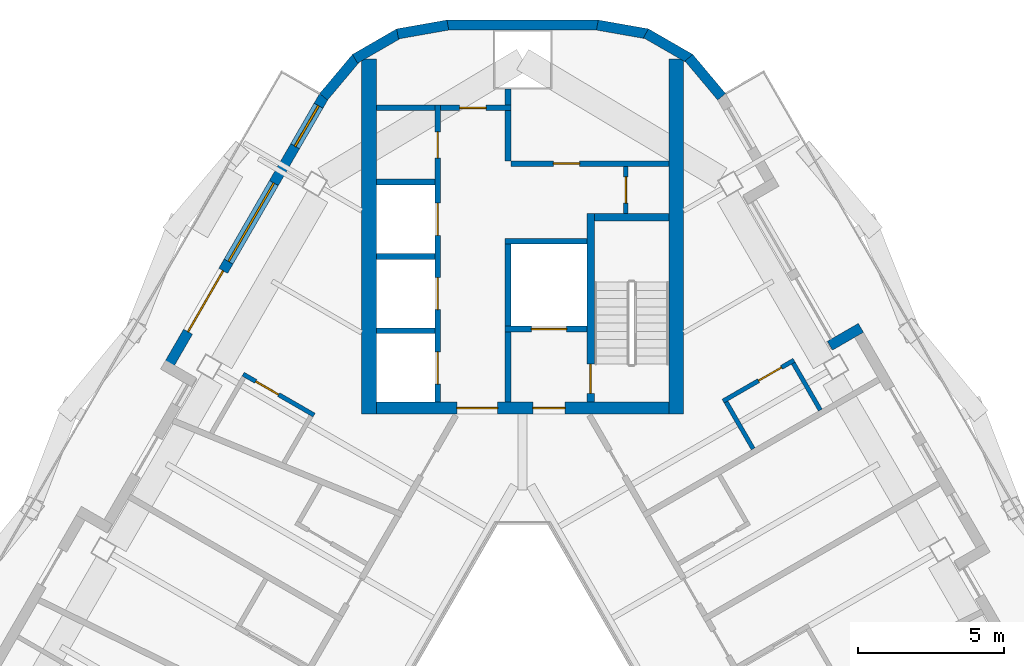
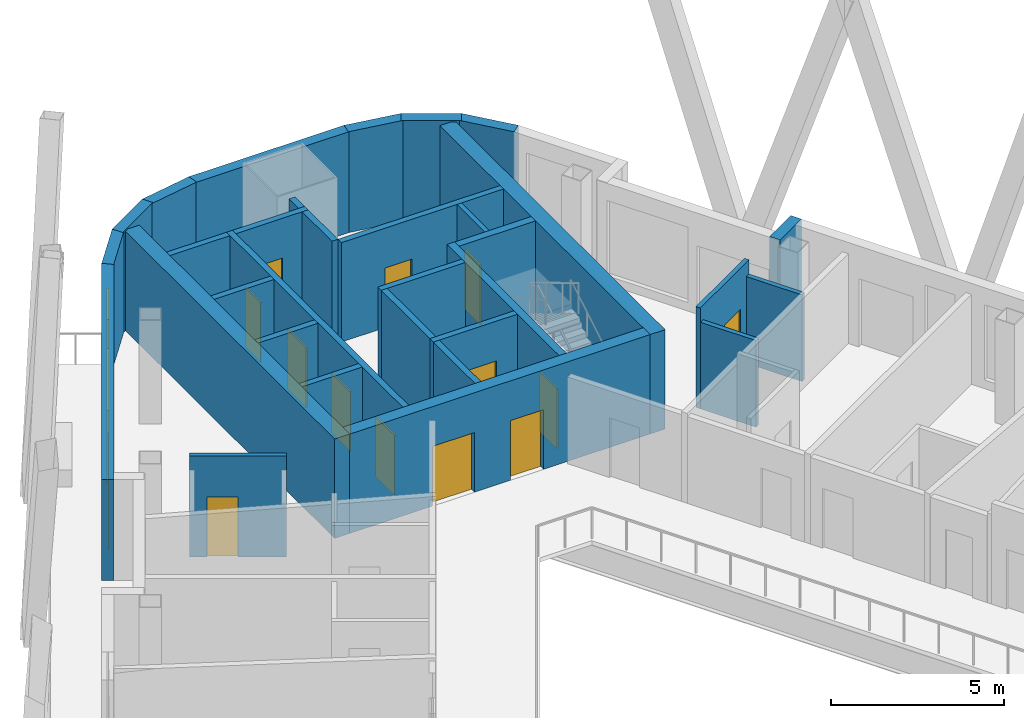
# One storey, part 7 of 13: 32 walls, 14 doors, 2 windows, 16 openings.
"""IFC4 building model written with IfcOpenShell, lengths in metres."""

from ifc_helpers import new_model, si_unit, direction, frame, frame_2d, origin, place, context, subcontext, project, spatial, rectangle, extrude, material, layer, layer_set, type_object, element, fill, save


model = new_model("IFC4")

# Units and contexts
model_context = context("Model", 3, precision=1e-05, world=origin(), true_north=direction((0.0, 1.0)))
body_context = subcontext(model_context, "Body", "Model", "MODEL_VIEW")
ifc_project = project(units=[si_unit("LENGTHUNIT", "METRE"), si_unit("AREAUNIT", "SQUARE_METRE"), si_unit("VOLUMEUNIT", "CUBIC_METRE"), si_unit("PLANEANGLEUNIT", "RADIAN"), si_unit("MASSUNIT", "GRAM", prefix="KILO")], contexts=[model_context])

# Site, building, storey
site_placement = place(None, origin())
site = spatial("IfcSite", under=ifc_project, at=site_placement, CompositionType="ELEMENT")
building_placement = place(site_placement, origin())
building = spatial("IfcBuilding", under=site, at=building_placement, Name="Apuvela Tower Hotel", CompositionType="ELEMENT")
storey_placement = place(building_placement, frame((0.0, 0.0, 280.0)))
storey = spatial("IfcBuildingStorey", under=building, at=storey_placement, Name="L69", CompositionType="ELEMENT", Elevation=280.0)

# Wall, openings, doors
ifc_material_1 = material(Name="Concrete C50/60", Category="concrete")
ifc_layer_1 = layer(ifc_material_1, 0.39990234375)
ifc_layer_set_1 = layer_set([ifc_layer_1], Name="COR-WALL-CORE-400")
wall_type_1 = type_object("IfcWallType", Name="COR-WALL-CORE-400", PredefinedType="SHEAR", material=ifc_layer_set_1)
wall_1_placement = place(storey_placement, frame((5.0, 13.10009765625, 0.0), z_axis=(0.0, 0.0, 1.0), x_axis=(-1.0, 0.0, 0.0)))
wall_1 = element("IfcWall", 1, at=wall_1_placement, inside=storey, type_object=wall_type_1, Name="Core wall N", PredefinedType="SHEAR", context=body_context, shape_type="SweptSolid", body=[
    extrude(rectangle(XDim=10.0, YDim=0.39990234375, at=frame_2d((5.0, 0.0))), origin(), (0.0, 0.0, 1.0), 3.5),
])
opening_1_placement = place(wall_1_placement, frame((3.550048828125, 0.0, 0.0)))
opening_1 = element("IfcOpeningElement", 2, at=opening_1_placement, cuts=wall_1, Name="Opening N-FD", PredefinedType="OPENING", context=body_context, shape_type="SweptSolid", body=[
    extrude(rectangle(XDim=1.10009765625, YDim=2.10009765625, at=frame_2d((0.550048828125, 1.050048828125))), frame((0.0, 0.2099609375, 0.0), z_axis=(0.0, -1.0, 0.0), x_axis=(1.0, 0.0, 0.0)), (0.0, 0.0, 1.0), 0.419921875),
])
opening_2_placement = place(wall_1_placement, frame((5.85009765625, 0.0, 0.0)))
opening_2 = element("IfcOpeningElement", 3, at=opening_2_placement, cuts=wall_1, Name="Opening N-GD", PredefinedType="OPENING", context=body_context, shape_type="SweptSolid", body=[
    extrude(rectangle(XDim=1.39990234375, YDim=2.10009765625, at=frame_2d((0.699951171875, 1.050048828125))), frame((0.0, 0.2099609375, 0.0), z_axis=(0.0, -1.0, 0.0), x_axis=(1.0, 0.0, 0.0)), (0.0, 0.0, 1.0), 0.419921875),
])
ifc_material_2 = material(Name="Steel fire door, powder coated", Category="steel")
door_type_1 = type_object("IfcDoorType", Name="COR-FD-1100", OperationType="NOTDEFINED", PredefinedType="DOOR", material=ifc_material_2)
door_1_placement = place(opening_1_placement, frame((1.10009765625, 0.0, 0.0), z_axis=(0.0, 0.0, 1.0), x_axis=(-1.0, 0.0, 0.0)))
door_1 = element("IfcDoor", 4, at=door_1_placement, inside=storey, type_object=door_type_1, Name="Firefighting lobby door N-FD", OperationType="SINGLE_SWING_LEFT", OverallHeight=2.10009765625, OverallWidth=1.10009765625, PredefinedType="DOOR", context=body_context, shape_type="SweptSolid", body=[
    extrude(rectangle(XDim=1.10009765625, YDim=2.10009765625, at=frame_2d((0.550048828125, 1.050048828125))), frame((0.0, 0.02490234375, 0.0), z_axis=(0.0, -1.0, 0.0), x_axis=(1.0, 0.0, 0.0)), (0.0, 0.0, 1.0), 0.050048828125),
])
fill(opening_1, door_1)
ifc_material_3 = material(Name="Glazed steel fire door", Category="steel")
door_type_2 = type_object("IfcDoorType", Name="COR-GD-1400", OperationType="DOUBLE_DOOR_SINGLE_SWING", PredefinedType="DOOR", material=ifc_material_3)
door_2_placement = place(opening_2_placement, frame((1.39990234375, 0.0, 0.0), z_axis=(0.0, 0.0, 1.0), x_axis=(-1.0, 0.0, 0.0)))
door_2 = element("IfcDoor", 5, at=door_2_placement, inside=storey, type_object=door_type_2, Name="Lift lobby door N-GD", OperationType="DOUBLE_DOOR_SINGLE_SWING", OverallHeight=2.10009765625, OverallWidth=1.39990234375, PredefinedType="DOOR", context=body_context, shape_type="SweptSolid", body=[
    extrude(rectangle(XDim=1.39990234375, YDim=2.10009765625, at=frame_2d((0.699951171875, 1.050048828125))), frame((0.0, 0.02490234375, 0.0), z_axis=(0.0, -1.0, 0.0), x_axis=(1.0, 0.0, 0.0)), (0.0, 0.0, 1.0), 0.050048828125),
])
fill(opening_2, door_2)

# Walls
ifc_layer_2 = layer(ifc_material_1, 0.5)
ifc_layer_set_2 = layer_set([ifc_layer_2], Name="COR-WALL-CORE-500")
wall_type_2 = type_object("IfcWallType", Name="COR-WALL-CORE-500", PredefinedType="SHEAR", material=ifc_layer_set_2)
for number, where, z_axis, x_axis, name in (
    (6, (5.25, 12.89990234375, 0.0), (0.0, 0.0, 1.0), (0.0, 1.0, 0.0), "Core wall N"),
    (7, (-5.25, 12.89990234375, 0.0), (0.0, 0.0, 1.0), (0.0, 1.0, 0.0), "Core wall N"),
):
    element("IfcWall", number, at=place(storey_placement, frame(where, z_axis=z_axis, x_axis=x_axis)), inside=storey, type_object=wall_type_2, Name=name, PredefinedType="SHEAR", context=body_context, shape_type="SweptSolid", body=[
        extrude(rectangle(XDim=12.12890625, YDim=0.5, at=frame_2d((6.064453125, 0.0))), origin(), (0.0, 0.0, 1.0), 3.5),
    ])

# Wall, opening, door
ifc_material_4 = material(Name="Blockwork 150 mm plastered", Category="masonry")
ifc_layer_3 = layer(ifc_material_4, 0.14990234375)
ifc_layer_set_3 = layer_set([ifc_layer_3], Name="COR-WALL-PART-150")
wall_type_3 = type_object("IfcWallType", Name="COR-WALL-PART-150", PredefinedType="PARTITIONING", material=ifc_layer_set_3)
wall_2_placement = place(storey_placement, frame((3.52490234375, 19.75, 0.0), z_axis=(0.0, 0.0, 1.0), x_axis=(0.0, 1.0, 0.0)))
wall_2 = element("IfcWall", 8, at=wall_2_placement, inside=storey, type_object=wall_type_3, Name="Partition N", PredefinedType="PARTITIONING", context=body_context, shape_type="SweptSolid", body=[
    extrude(rectangle(XDim=1.60009765625, YDim=0.14990234375, at=frame_2d((0.800048828125, 0.0))), origin(), (0.0, 0.0, 1.0), 3.5),
])
opening_3_placement = place(wall_2_placement, frame((0.35009765625, 0.0, 0.0)))
opening_3 = element("IfcOpeningElement", 9, at=opening_3_placement, cuts=wall_2, Name="Opening N-RD", PredefinedType="OPENING", context=body_context, shape_type="SweptSolid", body=[
    extrude(rectangle(XDim=0.89990234375, YDim=2.10009765625, at=frame_2d((0.449951171875, 1.050048828125))), frame((0.0, 0.0849609375, 0.0), z_axis=(0.0, -1.0, 0.0), x_axis=(1.0, 0.0, 0.0)), (0.0, 0.0, 1.0), 0.169921875),
])
ifc_material_5 = material(Name="Steel access door, powder coated", Category="steel")
door_type_3 = type_object("IfcDoorType", Name="COR-RD-900", OperationType="NOTDEFINED", PredefinedType="DOOR", material=ifc_material_5)
door_3_placement = place(opening_3_placement, frame((0.89990234375, 0.0, 0.0), z_axis=(0.0, 0.0, 1.0), x_axis=(-1.0, 0.0, 0.0)))
door_3 = element("IfcDoor", 10, at=door_3_placement, inside=storey, type_object=door_type_3, Name="Riser door N-RD", OperationType="SINGLE_SWING_RIGHT", OverallHeight=2.10009765625, OverallWidth=0.89990234375, PredefinedType="DOOR", context=body_context, shape_type="SweptSolid", body=[
    extrude(rectangle(XDim=0.89990234375, YDim=2.10009765625, at=frame_2d((0.449951171875, 1.050048828125))), frame((0.0, 0.02490234375, 0.0), z_axis=(0.0, -1.0, 0.0), x_axis=(1.0, 0.0, 0.0)), (0.0, 0.0, 1.0), 0.050048828125),
])
fill(opening_3, door_3)

ifc_material_6 = material(Name="Blockwork 200 mm plastered", Category="masonry")
ifc_layer_4 = layer(ifc_material_6, 0.199951171875)
ifc_layer_set_4 = layer_set([ifc_layer_4], Name="COR-WALL-PART-200")
wall_type_4 = type_object("IfcWallType", Name="COR-WALL-PART-200", PredefinedType="PARTITIONING", material=ifc_layer_set_4)
wall_3_placement = place(storey_placement, frame((5.0, 21.449951171875, 0.0), z_axis=(0.0, 0.0, 1.0), x_axis=(-1.0, 0.0, 0.0)))
wall_3 = element("IfcWall", 11, at=wall_3_placement, inside=storey, type_object=wall_type_4, Name="Partition N", PredefinedType="PARTITIONING", context=body_context, shape_type="SweptSolid", body=[
    extrude(rectangle(XDim=5.39990234375, YDim=0.199951171875, at=frame_2d((2.699951171875, 0.0))), origin(), (0.0, 0.0, 1.0), 3.5),
])
opening_4_placement = place(wall_3_placement, frame((3.050048828125, 0.0, 0.0)))
opening_4 = element("IfcOpeningElement", 12, at=opening_4_placement, cuts=wall_3, Name="Opening N-RS1", PredefinedType="OPENING", context=body_context, shape_type="SweptSolid", body=[
    extrude(rectangle(XDim=0.89990234375, YDim=2.10009765625, at=frame_2d((0.449951171875, 1.050048828125))), frame((0.0, 0.10986328125, 0.0), z_axis=(0.0, -1.0, 0.0), x_axis=(1.0, 0.0, 0.0)), (0.0, 0.0, 1.0), 0.219970703125),
])
door_type_4 = type_object("IfcDoorType", Name="COR-DR-900", OperationType="NOTDEFINED", PredefinedType="DOOR", material=ifc_material_2)
door_4_placement = place(opening_4_placement, frame((0.89990234375, 0.0, 0.0), z_axis=(0.0, 0.0, 1.0), x_axis=(-1.0, 0.0, 0.0)))
door_4 = element("IfcDoor", 13, at=door_4_placement, inside=storey, type_object=door_type_4, Name="Store door N-RS1", OperationType="SINGLE_SWING_LEFT", OverallHeight=2.10009765625, OverallWidth=0.89990234375, PredefinedType="DOOR", context=body_context, shape_type="SweptSolid", body=[
    extrude(rectangle(XDim=0.89990234375, YDim=2.10009765625, at=frame_2d((0.449951171875, 1.050048828125))), frame((0.0, 0.02490234375, 0.0), z_axis=(0.0, -1.0, 0.0), x_axis=(1.0, 0.0, 0.0)), (0.0, 0.0, 1.0), 0.050048828125),
])
fill(opening_4, door_4)

# Wall
ifc_layer_5 = layer(ifc_material_1, 0.199951171875)
ifc_layer_set_5 = layer_set([ifc_layer_5], Name="COR-WALL-SHAFT-200")
wall_type_5 = type_object("IfcWallType", Name="COR-WALL-SHAFT-200", PredefinedType="SHEAR", material=ifc_layer_set_5)
wall_4_placement = place(storey_placement, frame((2.199951171875, 18.800048828125, 0.0), z_axis=(0.0, 0.0, 1.0), x_axis=(-1.0, 0.0, 0.0)))
element("IfcWall", 14, at=wall_4_placement, inside=storey, type_object=wall_type_5, Name="Shaft wall N", PredefinedType="SHEAR", context=body_context, shape_type="SweptSolid", body=[
    extrude(rectangle(XDim=2.800048828125, YDim=0.199951171875, at=frame_2d((1.39990234375, 0.0))), origin(), (0.0, 0.0, 1.0), 3.5),
])

# Wall, opening, door
wall_5_placement = place(storey_placement, frame((2.199951171875, 15.800048828125, 0.0), z_axis=(0.0, 0.0, 1.0), x_axis=(-1.0, 0.0, 0.0)))
wall_5 = element("IfcWall", 15, at=wall_5_placement, inside=storey, type_object=wall_type_5, Name="Shaft wall N", PredefinedType="SHEAR", context=body_context, shape_type="SweptSolid", body=[
    extrude(rectangle(XDim=2.800048828125, YDim=0.199951171875, at=frame_2d((1.39990234375, 0.0))), origin(), (0.0, 0.0, 1.0), 3.5),
])
opening_5_placement = place(wall_5_placement, frame((0.699951171875, 0.0, 0.0)))
opening_5 = element("IfcOpeningElement", 16, at=opening_5_placement, cuts=wall_5, Name="Opening N-LD-FS1", PredefinedType="OPENING", context=body_context, shape_type="SweptSolid", body=[
    extrude(rectangle(XDim=1.199951171875, YDim=2.10009765625, at=frame_2d((0.60009765625, 1.050048828125))), frame((0.0, 0.10986328125, 0.0), z_axis=(0.0, -1.0, 0.0), x_axis=(1.0, 0.0, 0.0)), (0.0, 0.0, 1.0), 0.219970703125),
])
ifc_material_7 = material(Name="Stainless steel lift landing door", Category="steel")
door_type_5 = type_object("IfcDoorType", Name="COR-LD-1200", OperationType="DOUBLE_DOOR_SLIDING", PredefinedType="DOOR", material=ifc_material_7)
door_5_placement = place(opening_5_placement, origin())
door_5 = element("IfcDoor", 17, at=door_5_placement, inside=storey, type_object=door_type_5, Name="Lift landing door N-LD-FS1", OperationType="DOUBLE_DOOR_SLIDING", OverallHeight=2.10009765625, OverallWidth=1.199951171875, PredefinedType="DOOR", context=body_context, shape_type="SweptSolid", body=[
    extrude(rectangle(XDim=1.199951171875, YDim=2.10009765625, at=frame_2d((0.60009765625, 1.050048828125))), frame((0.0, 0.02490234375, 0.0), z_axis=(0.0, -1.0, 0.0), x_axis=(1.0, 0.0, 0.0)), (0.0, 0.0, 1.0), 0.050048828125),
])
fill(opening_5, door_5)

# Walls
wall_6_placement = place(storey_placement, frame((-0.5, 15.89990234375, 0.0), z_axis=(0.0, 0.0, 1.0), x_axis=(0.0, 1.0, 0.0)))
element("IfcWall", 18, at=wall_6_placement, inside=storey, type_object=wall_type_5, Name="Shaft wall N", PredefinedType="SHEAR", context=body_context, shape_type="SweptSolid", body=[
    extrude(rectangle(XDim=2.800048828125, YDim=0.199951171875, at=frame_2d((1.39990234375, 0.0))), origin(), (0.0, 0.0, 1.0), 3.5),
])
wall_7_placement = place(storey_placement, frame((-0.5, 13.300048828125, 0.0), z_axis=(0.0, 0.0, 1.0), x_axis=(0.0, 1.0, 0.0)))
element("IfcWall", 19, at=wall_7_placement, inside=storey, type_object=wall_type_5, Name="Shaft wall N", PredefinedType="SHEAR", context=body_context, shape_type="SweptSolid", body=[
    extrude(rectangle(XDim=2.39990234375, YDim=0.199951171875, at=frame_2d((1.199951171875, 0.0))), origin(), (0.0, 0.0, 1.0), 3.5),
])

# Wall, openings, doors
wall_8_placement = place(storey_placement, frame((-2.89990234375, 13.300048828125, 0.0), z_axis=(0.0, 0.0, 1.0), x_axis=(0.0, 1.0, 0.0)))
wall_8 = element("IfcWall", 20, at=wall_8_placement, inside=storey, type_object=wall_type_5, Name="Shaft wall N", PredefinedType="SHEAR", context=body_context, shape_type="SweptSolid", body=[
    extrude(rectangle(XDim=10.159912109375, YDim=0.199951171875, at=frame_2d((5.080078125, 0.0))), origin(), (0.0, 0.0, 1.0), 3.5),
])
opening_6_placement = place(wall_8_placement, frame((0.6201171875, 0.0, 0.0)))
opening_6 = element("IfcOpeningElement", 21, at=opening_6_placement, cuts=wall_8, Name="Opening N-LD-HR1", PredefinedType="OPENING", context=body_context, shape_type="SweptSolid", body=[
    extrude(rectangle(XDim=1.10009765625, YDim=2.10009765625, at=frame_2d((0.550048828125, 1.050048828125))), frame((0.0, 0.10986328125, 0.0), z_axis=(0.0, -1.0, 0.0), x_axis=(1.0, 0.0, 0.0)), (0.0, 0.0, 1.0), 0.219970703125),
])
opening_7_placement = place(wall_8_placement, frame((3.159912109375, 0.0, 0.0)))
opening_7 = element("IfcOpeningElement", 22, at=opening_7_placement, cuts=wall_8, Name="Opening N-LD-HR2", PredefinedType="OPENING", context=body_context, shape_type="SweptSolid", body=[
    extrude(rectangle(XDim=1.10009765625, YDim=2.10009765625, at=frame_2d((0.550048828125, 1.050048828125))), frame((0.0, 0.10986328125, 0.0), z_axis=(0.0, -1.0, 0.0), x_axis=(1.0, 0.0, 0.0)), (0.0, 0.0, 1.0), 0.219970703125),
])
opening_8_placement = place(wall_8_placement, frame((5.699951171875, 0.0, 0.0)))
opening_8 = element("IfcOpeningElement", 23, at=opening_8_placement, cuts=wall_8, Name="Opening N-LD-HR4", PredefinedType="OPENING", context=body_context, shape_type="SweptSolid", body=[
    extrude(rectangle(XDim=1.10009765625, YDim=2.10009765625, at=frame_2d((0.550048828125, 1.050048828125))), frame((0.0, 0.10986328125, 0.0), z_axis=(0.0, -1.0, 0.0), x_axis=(1.0, 0.0, 0.0)), (0.0, 0.0, 1.0), 0.219970703125),
])
opening_9_placement = place(wall_8_placement, frame((8.340087890625, 0.0, 0.0)))
opening_9 = element("IfcOpeningElement", 24, at=opening_9_placement, cuts=wall_8, Name="Opening N-RE4", PredefinedType="OPENING", context=body_context, shape_type="SweptSolid", body=[
    extrude(rectangle(XDim=0.89990234375, YDim=2.10009765625, at=frame_2d((0.449951171875, 1.050048828125))), frame((0.0, 0.10986328125, 0.0), z_axis=(0.0, -1.0, 0.0), x_axis=(1.0, 0.0, 0.0)), (0.0, 0.0, 1.0), 0.219970703125),
])
door_6_placement = place(opening_9_placement, origin())
door_6 = element("IfcDoor", 25, at=door_6_placement, inside=storey, type_object=door_type_4, Name="Store door N-RE4", OperationType="SINGLE_SWING_LEFT", OverallHeight=2.10009765625, OverallWidth=0.89990234375, PredefinedType="DOOR", context=body_context, shape_type="SweptSolid", body=[
    extrude(rectangle(XDim=0.89990234375, YDim=2.10009765625, at=frame_2d((0.449951171875, 1.050048828125))), frame((0.0, 0.02490234375, 0.0), z_axis=(0.0, -1.0, 0.0), x_axis=(1.0, 0.0, 0.0)), (0.0, 0.0, 1.0), 0.050048828125),
])
fill(opening_9, door_6)
door_type_6 = type_object("IfcDoorType", Name="COR-LD-1100", OperationType="DOUBLE_DOOR_SLIDING", PredefinedType="DOOR", material=ifc_material_7)
door_7_placement = place(opening_6_placement, origin())
door_7 = element("IfcDoor", 26, at=door_7_placement, inside=storey, type_object=door_type_6, Name="Lift landing door N-LD-HR1", OperationType="DOUBLE_DOOR_SLIDING", OverallHeight=2.10009765625, OverallWidth=1.10009765625, PredefinedType="DOOR", context=body_context, shape_type="SweptSolid", body=[
    extrude(rectangle(XDim=1.10009765625, YDim=2.10009765625, at=frame_2d((0.550048828125, 1.050048828125))), frame((0.0, 0.02490234375, 0.0), z_axis=(0.0, -1.0, 0.0), x_axis=(1.0, 0.0, 0.0)), (0.0, 0.0, 1.0), 0.050048828125),
])
fill(opening_6, door_7)
door_8_placement = place(opening_7_placement, origin())
door_8 = element("IfcDoor", 27, at=door_8_placement, inside=storey, type_object=door_type_6, Name="Lift landing door N-LD-HR2", OperationType="DOUBLE_DOOR_SLIDING", OverallHeight=2.10009765625, OverallWidth=1.10009765625, PredefinedType="DOOR", context=body_context, shape_type="SweptSolid", body=[
    extrude(rectangle(XDim=1.10009765625, YDim=2.10009765625, at=frame_2d((0.550048828125, 1.050048828125))), frame((0.0, 0.02490234375, 0.0), z_axis=(0.0, -1.0, 0.0), x_axis=(1.0, 0.0, 0.0)), (0.0, 0.0, 1.0), 0.050048828125),
])
fill(opening_7, door_8)
door_9_placement = place(opening_8_placement, origin())
door_9 = element("IfcDoor", 28, at=door_9_placement, inside=storey, type_object=door_type_6, Name="Lift landing door N-LD-HR4", OperationType="DOUBLE_DOOR_SLIDING", OverallHeight=2.10009765625, OverallWidth=1.10009765625, PredefinedType="DOOR", context=body_context, shape_type="SweptSolid", body=[
    extrude(rectangle(XDim=1.10009765625, YDim=2.10009765625, at=frame_2d((0.550048828125, 1.050048828125))), frame((0.0, 0.02490234375, 0.0), z_axis=(0.0, -1.0, 0.0), x_axis=(1.0, 0.0, 0.0)), (0.0, 0.0, 1.0), 0.050048828125),
])
fill(opening_8, door_9)

# Wall, opening, door
wall_9_placement = place(storey_placement, frame((-0.39990234375, 23.360107421875, 0.0), z_axis=(0.0, 0.0, 1.0), x_axis=(-1.0, 0.0, 0.0)))
wall_9 = element("IfcWall", 29, at=wall_9_placement, inside=storey, type_object=wall_type_5, Name="Shaft wall N", PredefinedType="SHEAR", context=body_context, shape_type="SweptSolid", body=[
    extrude(rectangle(XDim=2.400146484375, YDim=0.199951171875, at=frame_2d((1.2001953125, 0.0))), origin(), (0.0, 0.0, 1.0), 3.5),
])
opening_10_placement = place(wall_9_placement, frame((0.85009765625, 0.0, 0.0)))
opening_10 = element("IfcOpeningElement", 30, at=opening_10_placement, cuts=wall_9, Name="Opening N-REP", PredefinedType="OPENING", context=body_context, shape_type="SweptSolid", body=[
    extrude(rectangle(XDim=0.89990234375, YDim=2.10009765625, at=frame_2d((0.449951171875, 1.050048828125))), frame((0.0, 0.10986328125, 0.0), z_axis=(0.0, -1.0, 0.0), x_axis=(1.0, 0.0, 0.0)), (0.0, 0.0, 1.0), 0.219970703125),
])
door_10_placement = place(opening_10_placement, frame((0.89990234375, 0.0, 0.0), z_axis=(0.0, 0.0, 1.0), x_axis=(-1.0, 0.0, 0.0)))
door_10 = element("IfcDoor", 31, at=door_10_placement, inside=storey, type_object=door_type_4, Name="Store door N-REP", OperationType="SINGLE_SWING_LEFT", OverallHeight=2.10009765625, OverallWidth=0.89990234375, PredefinedType="DOOR", context=body_context, shape_type="SweptSolid", body=[
    extrude(rectangle(XDim=0.89990234375, YDim=2.10009765625, at=frame_2d((0.449951171875, 1.050048828125))), frame((0.0, 0.02490234375, 0.0), z_axis=(0.0, -1.0, 0.0), x_axis=(1.0, 0.0, 0.0)), (0.0, 0.0, 1.0), 0.050048828125),
])
fill(opening_10, door_10)

# Walls
wall_10_placement = place(storey_placement, frame((-0.5, 21.550048828125, 0.0), z_axis=(0.0, 0.0, 1.0), x_axis=(0.0, 1.0, 0.0)))
element("IfcWall", 32, at=wall_10_placement, inside=storey, type_object=wall_type_5, Name="Shaft wall N", PredefinedType="SHEAR", context=body_context, shape_type="SweptSolid", body=[
    extrude(rectangle(XDim=1.7099609375, YDim=0.199951171875, at=frame_2d((0.85498046875, 0.0))), origin(), (0.0, 0.0, 1.0), 3.5),
])
for number, where, z_axis, x_axis, name in (
    (33, (-3.0, 15.739990234375, 0.0), (0.0, 0.0, 1.0), (-1.0, 0.0, 0.0), "Shaft wall N"),
    (34, (-3.0, 18.280029296875, 0.0), (0.0, 0.0, 1.0), (-1.0, 0.0, 0.0), "Shaft wall N"),
    (35, (-3.0, 20.820068359375, 0.0), (0.0, 0.0, 1.0), (-1.0, 0.0, 0.0), "Shaft wall N"),
    (36, (-3.0, 23.360107421875, 0.0), (0.0, 0.0, 1.0), (-1.0, 0.0, 0.0), "Shaft wall N"),
):
    element("IfcWall", number, at=place(storey_placement, frame(where, z_axis=z_axis, x_axis=x_axis)), inside=storey, type_object=wall_type_5, Name=name, PredefinedType="SHEAR", context=body_context, shape_type="SweptSolid", body=[
        extrude(rectangle(XDim=2.0, YDim=0.199951171875, at=frame_2d((1.0, 0.0))), origin(), (0.0, 0.0, 1.0), 3.5),
    ])
wall_11_placement = place(storey_placement, frame((-0.5, 23.4599609375, 0.0), z_axis=(0.0, 0.0, 1.0), x_axis=(0.0, 1.0, 0.0)))
element("IfcWall", 37, at=wall_11_placement, inside=storey, type_object=wall_type_5, Name="Shaft wall N", PredefinedType="SHEAR", context=body_context, shape_type="SweptSolid", body=[
    extrude(rectangle(XDim=0.548828125, YDim=0.199951171875, at=frame_2d((0.2744140625, 0.0))), origin(), (0.0, 0.0, 1.0), 3.5),
])

# Wall, opening, door
ifc_layer_6 = layer(ifc_material_1, 0.25)
ifc_layer_set_6 = layer_set([ifc_layer_6], Name="COR-WALL-STAIR-250")
wall_type_6 = type_object("IfcWallType", Name="COR-WALL-STAIR-250", PredefinedType="SHEAR", material=ifc_layer_set_6)
wall_12_placement = place(storey_placement, frame((2.324951171875, 13.300048828125, 0.0), z_axis=(0.0, 0.0, 1.0), x_axis=(0.0, 1.0, 0.0)))
wall_12 = element("IfcWall", 38, at=wall_12_placement, inside=storey, type_object=wall_type_6, Name="Stair wall N", PredefinedType="SHEAR", context=body_context, shape_type="SweptSolid", body=[
    extrude(rectangle(XDim=6.449951171875, YDim=0.25, at=frame_2d((3.22509765625, 0.0))), origin(), (0.0, 0.0, 1.0), 3.5),
])
opening_11_placement = place(wall_12_placement, frame((0.300048828125, 0.0, 0.0)))
opening_11 = element("IfcOpeningElement", 39, at=opening_11_placement, cuts=wall_12, Name="Opening N-SD", PredefinedType="OPENING", context=body_context, shape_type="SweptSolid", body=[
    extrude(rectangle(XDim=1.0, YDim=2.10009765625, at=frame_2d((0.5, 1.050048828125))), frame((0.0, 0.135009765625, 0.0), z_axis=(0.0, -1.0, 0.0), x_axis=(1.0, 0.0, 0.0)), (0.0, 0.0, 1.0), 0.27001953125),
])
door_type_7 = type_object("IfcDoorType", Name="COR-SD-1000", OperationType="NOTDEFINED", PredefinedType="DOOR", material=ifc_material_2)
door_11_placement = place(opening_11_placement, frame((1.0, 0.0, 0.0), z_axis=(0.0, 0.0, 1.0), x_axis=(-1.0, 0.0, 0.0)))
door_11 = element("IfcDoor", 40, at=door_11_placement, inside=storey, type_object=door_type_7, Name="Stair door N-SD", OperationType="SINGLE_SWING_LEFT", OverallHeight=2.10009765625, OverallWidth=1.0, PredefinedType="DOOR", context=body_context, shape_type="SweptSolid", body=[
    extrude(rectangle(XDim=1.0, YDim=2.10009765625, at=frame_2d((0.5, 1.050048828125))), frame((0.0, 0.02490234375, 0.0), z_axis=(0.0, -1.0, 0.0), x_axis=(1.0, 0.0, 0.0)), (0.0, 0.0, 1.0), 0.050048828125),
])
fill(opening_11, door_11)

# Wall
wall_13_placement = place(storey_placement, frame((5.0, 19.625, 0.0), z_axis=(0.0, 0.0, 1.0), x_axis=(-1.0, 0.0, 0.0)))
element("IfcWall", 41, at=wall_13_placement, inside=storey, type_object=wall_type_6, Name="Stair wall N", PredefinedType="SHEAR", context=body_context, shape_type="SweptSolid", body=[
    extrude(rectangle(XDim=2.550048828125, YDim=0.25, at=frame_2d((1.27490234375, 0.0))), origin(), (0.0, 0.0, 1.0), 3.5),
])

# Wall, openings, door, windows
ifc_material_8 = material(Name="Concrete C40/50, dark pigmented precast panel", Category="concrete")
ifc_layer_7 = layer(ifc_material_8, 0.35009765625)
ifc_layer_set_7 = layer_set([ifc_layer_7], Name="ENV-WALL-350")
wall_type_7 = type_object("IfcWallType", Name="ENV-WALL-350", PredefinedType="SOLIDWALL", material=ifc_layer_set_7)
wall_14_placement = place(storey_placement, frame((-6.78271484375, 23.759521484375, 0.0), z_axis=(0.0, 0.0, 1.0), x_axis=(-0.500001780095, -0.866024376044, 0.0)))
wall_14 = element("IfcWall", 42, at=wall_14_placement, inside=storey, type_object=wall_type_7, Name="External wall L69-01", PredefinedType="SOLIDWALL", context=body_context, shape_type="SweptSolid", body=[
    extrude(rectangle(XDim=10.86962890625, YDim=0.35009765625, at=frame_2d((5.434814453125, 0.0))), origin(), (0.0, 0.0, 1.0), 3.550048828125),
])
opening_12_placement = place(wall_14_placement, frame((0.380615234375, 0.0, 0.300048828125)))
opening_12 = element("IfcOpeningElement", 43, at=opening_12_placement, cuts=wall_14, Name="Opening WN16", PredefinedType="OPENING", context=body_context, shape_type="SweptSolid", body=[
    extrude(rectangle(XDim=1.60009765625, YDim=2.64990234375, at=frame_2d((0.800048828125, 1.324951171875))), frame((0.0, 0.18505859375, 0.0), z_axis=(0.0, -1.0, 0.0), x_axis=(1.0, 0.0, 0.0)), (0.0, 0.0, 1.0), 0.3701171875),
])
opening_13_placement = place(wall_14_placement, frame((6.894775390625, 0.0, 0.0)))
opening_13 = element("IfcOpeningElement", 44, at=opening_13_placement, cuts=wall_14, Name="Opening BD24", PredefinedType="OPENING", context=body_context, shape_type="SweptSolid", body=[
    extrude(rectangle(XDim=2.39990234375, YDim=2.39990234375, at=frame_2d((1.199951171875, 1.199951171875))), frame((0.0, 0.18505859375, 0.0), z_axis=(0.0, -1.0, 0.0), x_axis=(1.0, 0.0, 0.0)), (0.0, 0.0, 1.0), 0.3701171875),
])
opening_14_placement = place(wall_14_placement, frame((3.429443359375, 0.0, 0.300048828125)))
opening_14 = element("IfcOpeningElement", 45, at=opening_14_placement, cuts=wall_14, Name="Opening WN31", PredefinedType="OPENING", context=body_context, shape_type="SweptSolid", body=[
    extrude(rectangle(XDim=3.10009765625, YDim=2.64990234375, at=frame_2d((1.550048828125, 1.324951171875))), frame((0.0, 0.18505859375, 0.0), z_axis=(0.0, -1.0, 0.0), x_axis=(1.0, 0.0, 0.0)), (0.0, 0.0, 1.0), 0.3701171875),
])
ifc_material_9 = material(Name="Aluminium 6063-T6, dark bronze anodised frame with dark tinted laminated glass", Category="aluminium")
door_type_8 = type_object("IfcDoorType", Name="ENV-DOOR-BALCONY-2400x2400", OperationType="SLIDING_TO_LEFT", PredefinedType="DOOR", material=ifc_material_9)
door_12_placement = place(opening_13_placement, frame((2.39990234375, 0.0, 0.0), z_axis=(0.0, 0.0, 1.0), x_axis=(-1.0, 0.0, 0.0)))
door_12 = element("IfcDoor", 46, at=door_12_placement, inside=storey, type_object=door_type_8, Name="Balcony door BD24", OperationType="SLIDING_TO_LEFT", OverallHeight=2.39990234375, OverallWidth=2.39990234375, PredefinedType="DOOR", context=body_context, shape_type="SweptSolid", body=[
    extrude(rectangle(XDim=2.39990234375, YDim=2.39990234375, at=frame_2d((1.199951171875, 1.199951171875))), frame((0.0, 0.02490234375, 0.0), z_axis=(0.0, -1.0, 0.0), x_axis=(1.0, 0.0, 0.0)), (0.0, 0.0, 1.0), 0.050048828125),
])
fill(opening_13, door_12)
ifc_material_10 = material(Name="Glass, dark tinted laminated insulated glazing unit", Category="glass")
window_type_1 = type_object("IfcWindowType", Name="ENV-WIN-1600x2650", PartitioningType="SINGLE_PANEL", PredefinedType="WINDOW", material=ifc_material_10)
window_1_placement = place(opening_12_placement, origin())
window_1 = element("IfcWindow", 47, at=window_1_placement, inside=storey, type_object=window_type_1, Name="Window WN16", OverallHeight=2.64990234375, OverallWidth=1.60009765625, PartitioningType="SINGLE_PANEL", PredefinedType="WINDOW", context=body_context, shape_type="SweptSolid", body=[
    extrude(rectangle(XDim=1.60009765625, YDim=2.64990234375, at=frame_2d((0.800048828125, 1.324951171875))), frame((0.0, 0.030029296875, 0.0), z_axis=(0.0, -1.0, 0.0), x_axis=(1.0, 0.0, 0.0)), (0.0, 0.0, 1.0), 0.06005859375),
])
fill(opening_12, window_1)
window_type_2 = type_object("IfcWindowType", Name="ENV-WIN-3100x2650", PartitioningType="SINGLE_PANEL", PredefinedType="WINDOW", material=ifc_material_10)
window_2_placement = place(opening_14_placement, origin())
window_2 = element("IfcWindow", 48, at=window_2_placement, inside=storey, type_object=window_type_2, Name="Window WN31", OverallHeight=2.64990234375, OverallWidth=3.10009765625, PartitioningType="SINGLE_PANEL", PredefinedType="WINDOW", context=body_context, shape_type="SweptSolid", body=[
    extrude(rectangle(XDim=3.10009765625, YDim=2.64990234375, at=frame_2d((1.550048828125, 1.324951171875))), frame((0.0, 0.030029296875, 0.0), z_axis=(0.0, -1.0, 0.0), x_axis=(1.0, 0.0, 0.0)), (0.0, 0.0, 1.0), 0.06005859375),
])
fill(opening_14, window_2)

# Walls
wall_15_placement = place(storey_placement, frame((11.556640625, 15.841064453125, 0.0), z_axis=(0.0, 0.0, 1.0), x_axis=(-0.866005645448, -0.500034220881, 0.0)))
element("IfcWall", 49, at=wall_15_placement, inside=storey, type_object=wall_type_7, Name="External wall L69-38", PredefinedType="SOLIDWALL", context=body_context, shape_type="SweptSolid", body=[
    extrude(rectangle(XDim=1.22021484375, YDim=0.35009765625, at=frame_2d((0.610107421875, 0.0))), origin(), (0.0, 0.0, 1.0), 3.550048828125),
])
for number, where, z_axis, x_axis, name in (
    (50, (6.800048828125, 23.734619140625, 0.0), (0.0, 0.0, 1.0), (-0.642768607723, 0.766060387258, 0.0), "External wall L69-42"),
    (51, (5.725341796875, 25.031982421875, 0.0), (0.0, 0.0, 1.0), (-0.866038783226, 0.499976825411, 0.0), "External wall L69-43"),
    (52, (4.271484375, 25.883544921875, 0.0), (0.0, 0.0, 1.0), (-0.984803276474, 0.173673563465, 0.0), "External wall L69-44"),
):
    element("IfcWall", number, at=place(storey_placement, frame(where, z_axis=z_axis, x_axis=x_axis)), inside=storey, type_object=wall_type_7, Name=name, PredefinedType="SOLIDWALL", context=body_context, shape_type="SweptSolid", body=[
        extrude(rectangle(XDim=1.74462890625, YDim=0.35009765625, at=frame_2d((0.872314453125, 0.0))), origin(), (0.0, 0.0, 1.0), 3.550048828125),
    ])
wall_16_placement = place(storey_placement, frame((2.583740234375, 26.183837890625, 0.0), z_axis=(0.0, 0.0, 1.0), x_axis=(-1.0, 0.0, 0.0)))
element("IfcWall", 53, at=wall_16_placement, inside=storey, type_object=wall_type_7, Name="External wall L69-45", PredefinedType="SOLIDWALL", context=body_context, shape_type="SweptSolid", body=[
    extrude(rectangle(XDim=5.16748046875, YDim=0.35009765625, at=frame_2d((2.583740234375, 0.0))), origin(), (0.0, 0.0, 1.0), 3.550048828125),
])
for number, where, z_axis, x_axis, name in (
    (54, (-2.553466796875, 26.1865234375, 0.0), (0.0, 0.0, 1.0), (-0.984803276474, -0.173673563465, 0.0), "External wall L69-46"),
    (55, (-4.21435546875, 25.904296875, 0.0), (0.0, 0.0, 1.0), (-0.866038783226, -0.499976825411, 0.0), "External wall L69-47"),
    (56, (-5.6787109375, 25.071044921875, 0.0), (0.0, 0.0, 1.0), (-0.642768607723, -0.766060387258, 0.0), "External wall L69-48"),
):
    element("IfcWall", number, at=place(storey_placement, frame(where, z_axis=z_axis, x_axis=x_axis)), inside=storey, type_object=wall_type_7, Name=name, PredefinedType="SOLIDWALL", context=body_context, shape_type="SweptSolid", body=[
        extrude(rectangle(XDim=1.74462890625, YDim=0.35009765625, at=frame_2d((0.872314453125, 0.0))), origin(), (0.0, 0.0, 1.0), 3.550048828125),
    ])

# Wall, opening, door
ifc_material_11 = material(Name="Moisture-resistant gypsum board wet wall on steel stud", Category="steel")
ifc_layer_8 = layer(ifc_material_11, 0.14990234375)
ifc_layer_set_8 = layer_set([ifc_layer_8], Name="GST-PW3")
wall_type_8 = type_object("IfcWallType", Name="GST-PW3", PredefinedType="PARTITIONING", material=ifc_layer_set_8)
wall_17_placement = place(storey_placement, frame((9.2744140625, 14.736572265625, 0.0), z_axis=(0.0, 0.0, 1.0), x_axis=(-0.866018616679, -0.500011755427, 0.0)))
wall_17 = element("IfcWall", 57, at=wall_17_placement, inside=storey, type_object=wall_type_8, Name="L69 partition 36", PredefinedType="PARTITIONING", context=body_context, shape_type="SweptSolid", body=[
    extrude(rectangle(XDim=2.80029296875, YDim=0.14990234375, at=frame_2d((1.400146484375, 0.0))), origin(), (0.0, 0.0, 1.0), 3.550048828125),
])
opening_15_placement = place(wall_17_placement, frame((0.5, 0.0, 0.0)))
opening_15 = element("IfcOpeningElement", 58, at=opening_15_placement, cuts=wall_17, Name="Opening GD28-15", PredefinedType="OPENING", context=body_context, shape_type="SweptSolid", body=[
    extrude(rectangle(XDim=0.89990234375, YDim=2.10009765625, at=frame_2d((0.449951171875, 1.050048828125))), frame((0.0, 0.0849609375, 0.0), z_axis=(0.0, -1.0, 0.0), x_axis=(1.0, 0.0, 0.0)), (0.0, 0.0, 1.0), 0.169921875),
])
ifc_material_12 = material(Name="Timber door leaf in steel frame", Category="steel")
door_type_9 = type_object("IfcDoorType", Name="GST-D2", OperationType="NOTDEFINED", PredefinedType="DOOR", material=ifc_material_12)
door_13_placement = place(opening_15_placement, origin())
door_13 = element("IfcDoor", 59, at=door_13_placement, inside=storey, type_object=door_type_9, Name="Door L69-15", OperationType="SINGLE_SWING_LEFT", OverallHeight=2.10009765625, OverallWidth=0.89990234375, PredefinedType="DOOR", context=body_context, shape_type="SweptSolid", body=[
    extrude(rectangle(XDim=0.89990234375, YDim=2.10009765625, at=frame_2d((0.449951171875, 1.050048828125))), frame((0.0, 0.02490234375, 0.0), z_axis=(0.0, -1.0, 0.0), x_axis=(1.0, 0.0, 0.0)), (0.0, 0.0, 1.0), 0.050048828125),
])
fill(opening_15, door_13)

# Walls
wall_18_placement = place(storey_placement, frame((10.171875, 13.031982421875, 0.0), z_axis=(0.0, 0.0, 1.0), x_axis=(-0.500042316284, 0.866000971088, 0.0)))
element("IfcWall", 60, at=wall_18_placement, inside=storey, type_object=wall_type_8, Name="L69 partition 37", PredefinedType="PARTITIONING", context=body_context, shape_type="SweptSolid", body=[
    extrude(rectangle(XDim=1.849853515625, YDim=0.14990234375, at=frame_2d((0.9248046875, 0.0))), origin(), (0.0, 0.0, 1.0), 3.050048828125),
])
wall_19_placement = place(storey_placement, frame((7.876953125, 11.706787109375, 0.0), z_axis=(0.0, 0.0, 1.0), x_axis=(-0.499985172903, 0.866033964044, 0.0)))
element("IfcWall", 61, at=wall_19_placement, inside=storey, type_object=wall_type_8, Name="L69 partition 38", PredefinedType="PARTITIONING", context=body_context, shape_type="SweptSolid", body=[
    extrude(rectangle(XDim=1.85009765625, YDim=0.14990234375, at=frame_2d((0.925048828125, 0.0))), origin(), (0.0, 0.0, 1.0), 3.050048828125),
])

# Wall, opening, door
wall_20_placement = place(storey_placement, frame((-7.12451171875, 12.860107421875, 0.0), z_axis=(0.0, 0.0, 1.0), x_axis=(-0.866034573852, 0.49998411664, 0.0)))
wall_20 = element("IfcWall", 62, at=wall_20_placement, inside=storey, type_object=wall_type_8, Name="L69 partition 40", PredefinedType="PARTITIONING", context=body_context, shape_type="SweptSolid", body=[
    extrude(rectangle(XDim=2.7998046875, YDim=0.14990234375, at=frame_2d((1.39990234375, 0.0))), origin(), (0.0, 0.0, 1.0), 3.550048828125),
])
opening_16_placement = place(wall_20_placement, frame((1.39990234375, 0.0, 0.0)))
opening_16 = element("IfcOpeningElement", 63, at=opening_16_placement, cuts=wall_20, Name="Opening GD28-17", PredefinedType="OPENING", context=body_context, shape_type="SweptSolid", body=[
    extrude(rectangle(XDim=0.89990234375, YDim=2.10009765625, at=frame_2d((0.449951171875, 1.050048828125))), frame((0.0, 0.0849609375, 0.0), z_axis=(0.0, -1.0, 0.0), x_axis=(1.0, 0.0, 0.0)), (0.0, 0.0, 1.0), 0.169921875),
])
door_14_placement = place(opening_16_placement, origin())
door_14 = element("IfcDoor", 64, at=door_14_placement, inside=storey, type_object=door_type_9, Name="Door L69-17", OperationType="SINGLE_SWING_RIGHT", OverallHeight=2.10009765625, OverallWidth=0.89990234375, PredefinedType="DOOR", context=body_context, shape_type="SweptSolid", body=[
    extrude(rectangle(XDim=0.89990234375, YDim=2.10009765625, at=frame_2d((0.449951171875, 1.050048828125))), frame((0.0, 0.02490234375, 0.0), z_axis=(0.0, -1.0, 0.0), x_axis=(1.0, 0.0, 0.0)), (0.0, 0.0, 1.0), 0.050048828125),
])
fill(opening_16, door_14)

save(model, "model.ifc")
